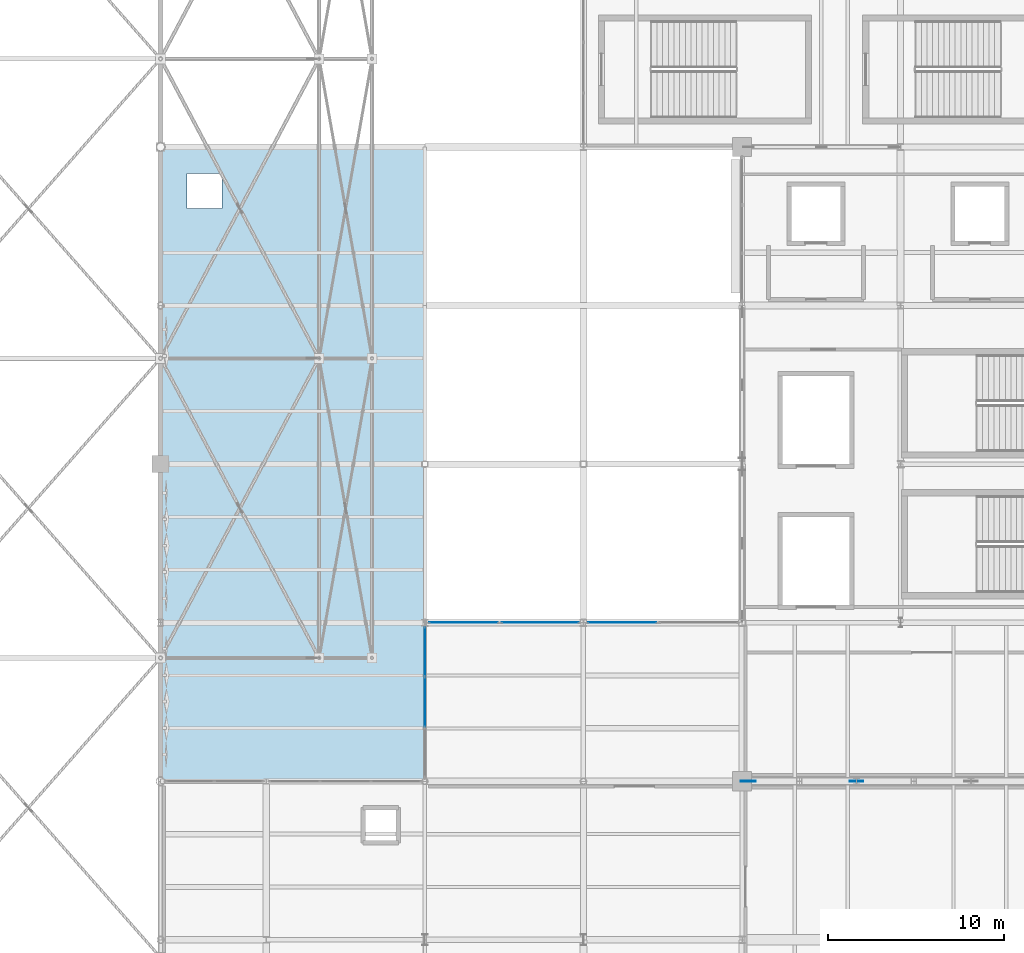
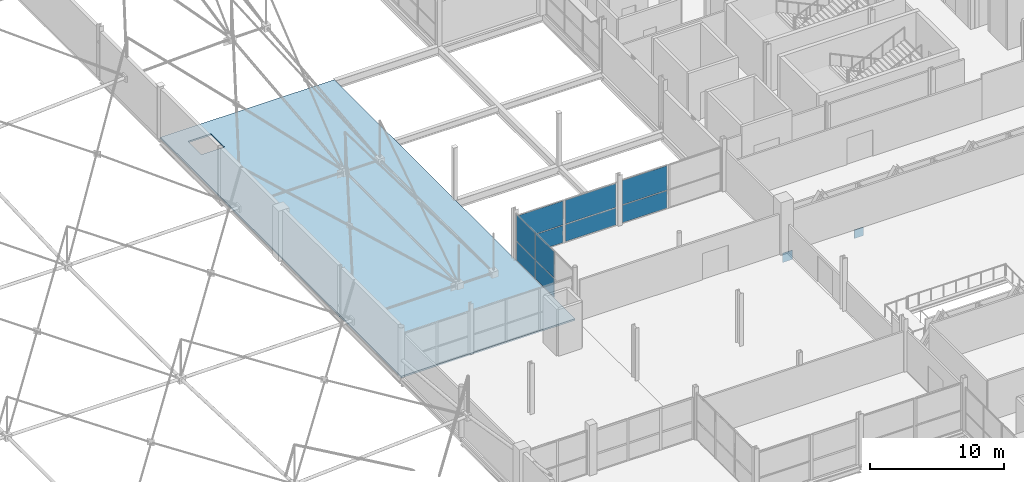
# One storey, part 170 of 224: 12 plates, 1 slab, 4 elements without a shape of their own.
"""IFC4 building model written with IfcOpenShell, lengths in metres."""

from ifc_helpers import new_model, si_unit, direction, frame, origin, origin_2d, place, context, subcontext, project, spatial, polyline, rectangle, outline, extrude, material, layer, layer_set, type_object, element, aggregate, save


model = new_model("IFC4")

# Units and contexts
model_context = context("Model", 3, precision=1e-05, world=origin(), true_north=direction((0.0, 1.0)))
body_context = subcontext(model_context, "Body", "Model", "MODEL_VIEW")
ifc_project = project(units=[si_unit("LENGTHUNIT", "METRE"), si_unit("AREAUNIT", "SQUARE_METRE"), si_unit("VOLUMEUNIT", "CUBIC_METRE"), si_unit("PLANEANGLEUNIT", "RADIAN"), si_unit("MASSUNIT", "GRAM", prefix="KILO")], contexts=[model_context])

# Site, building, storey
site_placement = place(None, origin())
site = spatial("IfcSite", under=ifc_project, at=site_placement, CompositionType="ELEMENT")
building_placement = place(site_placement, origin())
building = spatial("IfcBuilding", under=site, at=building_placement, Name="Qamarlyn Nura Convention Centre", CompositionType="ELEMENT")
storey_placement = place(building_placement, frame((0.0, 0.0, 10.800048828125)))
storey = spatial("IfcBuildingStorey", under=building, at=storey_placement, Name="L02", CompositionType="ELEMENT", Elevation=10.800048828125)

# Curtain wall, plates
ifc_material_1 = material(Name="Double-silver low-E insulated glass", Category="glass")
ifc_layer_1 = layer(ifc_material_1, 0.179931640625, Name="CW-UNIT-102")
ifc_layer_set_1 = layer_set([ifc_layer_1], Name="Double-silver low-E insulated glass")
curtain_wall_type_1 = type_object("IfcCurtainWallType", Name="CW-UNIT-102", PredefinedType="NOTDEFINED", material=ifc_layer_set_1)
curtain_wall_1_placement = place(storey_placement, origin())
curtain_wall_1 = element("IfcCurtainWall", 1, at=curtain_wall_1_placement, inside=storey, type_object=curtain_wall_type_1, Name="L02 unitised curtain wall BLW-N-1", PredefinedType="NOTDEFINED")
ifc_layer_2 = layer(ifc_material_1, 0.028076171875, Name="CWP-VIS-28")
ifc_layer_set_2 = layer_set([ifc_layer_2], Name="Double-silver low-E insulated glass")
plate_type_1 = type_object("IfcPlateType", Name="CWP-VIS-28", PredefinedType="CURTAIN_PANEL", material=ifc_layer_set_2)
plate_1_placement = place(storey_placement, frame((135.0, 49.49072265625, 0.06982421875), z_axis=(0.0, 0.0, 1.0), x_axis=(0.0, 1.0, 0.0)))
plate_1 = element("IfcPlate", 2, at=plate_1_placement, type_object=plate_type_1, Name="CW102 panel 2.1", PredefinedType="CURTAIN_PANEL", context=body_context, shape_type="SweptSolid", body=[
    extrude(rectangle(XDim=2.80517578125, YDim=0.028076171875, at=origin_2d()), origin(), (0.0, 0.0, 1.0), 1.702880859375),
])
plate_2_placement = place(storey_placement, frame((135.0, 49.49072265625, 1.843017578125), z_axis=(0.0, 0.0, 1.0), x_axis=(0.0, 1.0, 0.0)))
plate_2 = element("IfcPlate", 3, at=plate_2_placement, type_object=plate_type_1, Name="CW102 panel 2.2", PredefinedType="CURTAIN_PANEL", context=body_context, shape_type="SweptSolid", body=[
    extrude(rectangle(XDim=2.80517578125, YDim=0.028076171875, at=origin_2d()), origin(), (0.0, 0.0, 1.0), 2.39208984375),
])
plate_3_placement = place(storey_placement, frame((135.0, 52.348388671875, 0.06982421875), z_axis=(0.0, 0.0, 1.0), x_axis=(0.0, 1.0, 0.0)))
plate_3 = element("IfcPlate", 4, at=plate_3_placement, type_object=plate_type_1, Name="CW102 panel 3.1", PredefinedType="CURTAIN_PANEL", context=body_context, shape_type="SweptSolid", body=[
    extrude(rectangle(XDim=2.770263671875, YDim=0.028076171875, at=origin_2d()), origin(), (0.0, 0.0, 1.0), 1.702880859375),
])
plate_4_placement = place(storey_placement, frame((135.0, 52.348388671875, 1.843017578125), z_axis=(0.0, 0.0, 1.0), x_axis=(0.0, 1.0, 0.0)))
plate_4 = element("IfcPlate", 5, at=plate_4_placement, type_object=plate_type_1, Name="CW102 panel 3.2", PredefinedType="CURTAIN_PANEL", context=body_context, shape_type="SweptSolid", body=[
    extrude(rectangle(XDim=2.770263671875, YDim=0.028076171875, at=origin_2d()), origin(), (0.0, 0.0, 1.0), 2.39208984375),
])
aggregate(curtain_wall_1, [plate_1, plate_2, plate_3, plate_4])

ifc_layer_3 = layer(ifc_material_1, 0.179931640625, Name="CW-UNIT-107")
ifc_layer_set_3 = layer_set([ifc_layer_3], Name="Double-silver low-E insulated glass")
curtain_wall_type_2 = type_object("IfcCurtainWallType", Name="CW-UNIT-107", PredefinedType="NOTDEFINED", material=ifc_layer_set_3)
curtain_wall_2_placement = place(storey_placement, origin())
curtain_wall_2 = element("IfcCurtainWall", 6, at=curtain_wall_2_placement, inside=storey, type_object=curtain_wall_type_2, Name="L02 unitised curtain wall BLW-NE-1A", PredefinedType="NOTDEFINED")
plate_5_placement = place(storey_placement, frame((137.20068359375, 54.0, 0.06005859375), z_axis=(0.0, 0.0, 1.0), x_axis=(1.0, 0.0, 0.0)))
plate_5 = element("IfcPlate", 7, at=plate_5_placement, type_object=plate_type_1, Name="CW107 panel 1.1", PredefinedType="CURTAIN_PANEL", context=body_context, shape_type="SweptSolid", body=[
    extrude(rectangle(XDim=3.882568359375, YDim=0.028076171875, at=origin_2d()), origin(), (0.0, 0.0, 1.0), 1.556884765625),
])
plate_6_placement = place(storey_placement, frame((137.20068359375, 54.0, 1.677001953125), z_axis=(0.0, 0.0, 1.0), x_axis=(1.0, 0.0, 0.0)))
plate_6 = element("IfcPlate", 8, at=plate_6_placement, type_object=plate_type_1, Name="CW107 panel 1.2", PredefinedType="CURTAIN_PANEL", context=body_context, shape_type="SweptSolid", body=[
    extrude(rectangle(XDim=3.882568359375, YDim=0.028076171875, at=origin_2d()), origin(), (0.0, 0.0, 1.0), 2.18408203125),
])
aggregate(curtain_wall_2, [plate_5, plate_6])

ifc_layer_4 = layer(ifc_material_1, 0.179931640625, Name="CW-UNIT-109")
ifc_layer_set_4 = layer_set([ifc_layer_4], Name="Double-silver low-E insulated glass")
curtain_wall_type_3 = type_object("IfcCurtainWallType", Name="CW-UNIT-109", PredefinedType="NOTDEFINED", material=ifc_layer_set_4)
curtain_wall_3_placement = place(storey_placement, origin())
curtain_wall_3 = element("IfcCurtainWall", 9, at=curtain_wall_3_placement, inside=storey, type_object=curtain_wall_type_3, Name="L02 unitised curtain wall BLW-NE-2A", PredefinedType="NOTDEFINED")
plate_7_placement = place(storey_placement, frame((146.20068359375, 54.0, 0.06494140625), z_axis=(0.0, 0.0, 1.0), x_axis=(1.0, 0.0, 0.0)))
plate_7 = element("IfcPlate", 10, at=plate_7_placement, type_object=plate_type_1, Name="CW109 panel 1.1", PredefinedType="CURTAIN_PANEL", context=body_context, shape_type="SweptSolid", body=[
    extrude(rectangle(XDim=3.872314453125, YDim=0.028076171875, at=origin_2d()), origin(), (0.0, 0.0, 1.0), 1.57958984375),
])
plate_8_placement = place(storey_placement, frame((146.20068359375, 54.0, 1.70947265625), z_axis=(0.0, 0.0, 1.0), x_axis=(1.0, 0.0, 0.0)))
plate_8 = element("IfcPlate", 11, at=plate_8_placement, type_object=plate_type_1, Name="CW109 panel 1.2", PredefinedType="CURTAIN_PANEL", context=body_context, shape_type="SweptSolid", body=[
    extrude(rectangle(XDim=3.872314453125, YDim=0.028076171875, at=origin_2d()), origin(), (0.0, 0.0, 1.0), 2.219482421875),
])
aggregate(curtain_wall_3, [plate_7, plate_8])

ifc_layer_5 = layer(ifc_material_1, 0.179931640625, Name="CW-UNIT-108")
ifc_layer_set_5 = layer_set([ifc_layer_5], Name="Double-silver low-E insulated glass")
curtain_wall_type_4 = type_object("IfcCurtainWallType", Name="CW-UNIT-108", PredefinedType="NOTDEFINED", material=ifc_layer_set_5)
curtain_wall_4_placement = place(storey_placement, origin())
curtain_wall_4 = element("IfcCurtainWall", 12, at=curtain_wall_4_placement, inside=storey, type_object=curtain_wall_type_4, Name="L02 unitised curtain wall BLW-NE-1B", PredefinedType="NOTDEFINED")
ifc_layer_6 = layer(ifc_material_1, 0.031982421875, Name="CWP-VIS-32")
ifc_layer_set_6 = layer_set([ifc_layer_6], Name="Double-silver low-E insulated glass")
plate_type_2 = type_object("IfcPlateType", Name="CWP-VIS-32", PredefinedType="CURTAIN_PANEL", material=ifc_layer_set_6)
plate_9_placement = place(storey_placement, frame((141.541259765625, 54.0, 0.070068359375), z_axis=(0.0, 0.0, 1.0), x_axis=(1.0, 0.0, 0.0)))
plate_9 = element("IfcPlate", 13, at=plate_9_placement, type_object=plate_type_2, Name="CW108 panel 1.1", PredefinedType="CURTAIN_PANEL", context=body_context, shape_type="SweptSolid", body=[
    extrude(rectangle(XDim=4.37841796875, YDim=0.031982421875, at=origin_2d()), origin(), (0.0, 0.0, 1.0), 1.5419921875),
])
plate_10_placement = place(storey_placement, frame((141.541259765625, 54.0, 1.681884765625), z_axis=(0.0, 0.0, 1.0), x_axis=(1.0, 0.0, 0.0)))
plate_10 = element("IfcPlate", 14, at=plate_10_placement, type_object=plate_type_2, Name="CW108 panel 1.2", PredefinedType="CURTAIN_PANEL", context=body_context, shape_type="SweptSolid", body=[
    extrude(rectangle(XDim=4.37841796875, YDim=0.031982421875, at=origin_2d()), origin(), (0.0, 0.0, 1.0), 2.1689453125),
])
aggregate(curtain_wall_4, [plate_9, plate_10])

# Plates
ifc_material_2 = material(Name="Structural steel ASTM A572 Grade 50", Category="steel")
ifc_layer_7 = layer(ifc_material_2, 0.044921875, Name="GP-TN1")
ifc_layer_set_7 = layer_set([ifc_layer_7], Name="Structural steel ASTM A572 Grade 50")
plate_type_3 = type_object("IfcPlateType", Name="GP-TN1", PredefinedType="USERDEFINED", material=ifc_layer_set_7)
plate_11_placement = place(storey_placement, frame((153.35009765625, 45.0, -1.14111328125), z_axis=(0.0, 0.0, 1.0), x_axis=(1.0, 0.0, 0.0)))
element("IfcPlate", 15, at=plate_11_placement, inside=storey, type_object=plate_type_3, Name="Transfer structure node gusset plate F-WB", ObjectType="GUSSET PLATE", PredefinedType="USERDEFINED", context=body_context, shape_type="SweptSolid", body=[
    extrude(rectangle(XDim=0.85009765625, YDim=0.044921875, at=origin_2d()), origin(), (0.0, 0.0, 1.0), 0.85009765625),
])
ifc_layer_8 = layer(ifc_material_2, 0.050048828125, Name="GP-TN2")
ifc_layer_set_8 = layer_set([ifc_layer_8], Name="Structural steel ASTM A572 Grade 50")
plate_type_4 = type_object("IfcPlateType", Name="GP-TN2", PredefinedType="USERDEFINED", material=ifc_layer_set_8)
plate_12_placement = place(storey_placement, frame((159.5, 45.0, -1.10595703125), z_axis=(0.0, 0.0, 1.0), x_axis=(1.0, 0.0, 0.0)))
element("IfcPlate", 16, at=plate_12_placement, inside=storey, type_object=plate_type_4, Name="Transfer truss bottom node gusset plate F-V1B", ObjectType="GUSSET PLATE", PredefinedType="USERDEFINED", context=body_context, shape_type="SweptSolid", body=[
    extrude(rectangle(XDim=0.780029296875, YDim=0.050048828125, at=origin_2d()), origin(), (0.0, 0.0, 1.0), 0.780029296875),
])

# Slab
ifc_material_3 = material(Name="Concrete C40/50", Category="concrete")
ifc_layer_9 = layer(ifc_material_3, 0.14501953125, Name="RF-CAN")
ifc_layer_set_9 = layer_set([ifc_layer_9], Name="Concrete C40/50")
slab_type = type_object("IfcSlabType", Name="RF-CAN", PredefinedType="ROOF", material=ifc_layer_set_9)
slab_placement = place(storey_placement, frame((0.0, 0.0, -0.14501953125)))
element("IfcSlab", 17, at=slab_placement, inside=storey, type_object=slab_type, Name="L02 flat roof deck R-L02-V6B", PredefinedType="ROOF", context=body_context, shape_type="SweptSolid", body=[
    extrude(outline(polyline([(120.0, 45.0), (120.0, 81.0), (135.0, 81.0), (135.0, 45.0), (120.0, 45.0)]), holes=[polyline([(123.5, 79.5), (121.5, 79.5), (121.5, 77.5), (123.5, 77.5), (123.5, 79.5)])]), origin(), (0.0, 0.0, 1.0), 0.14501953125),
])

save(model, "model.ifc")
